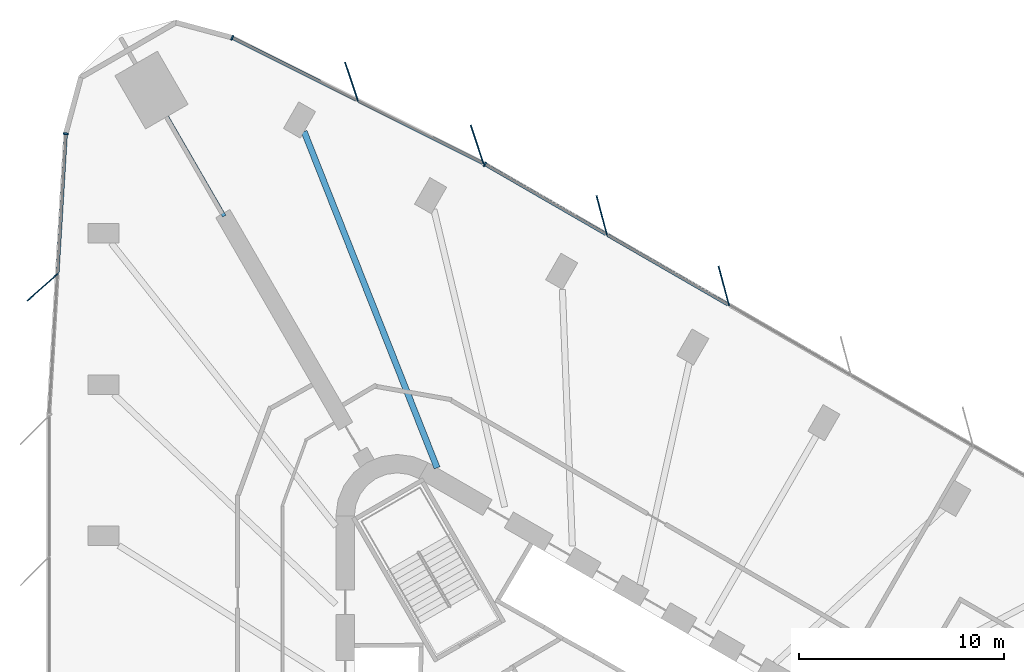
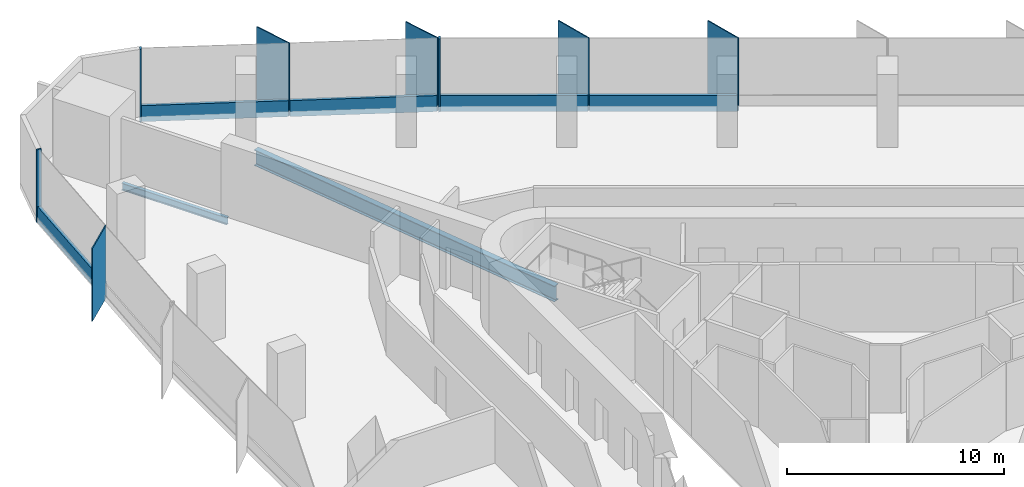
# One storey, part 7 of 14: 13 members, 2 beams, 3 elements without a shape of their own.
"""IFC4 building model written with IfcOpenShell, lengths in metres."""

from ifc_helpers import new_model, si_unit, direction, frame, origin, origin_2d, place, context, subcontext, project, spatial, rectangle, i_section, extrude, material, material_profile, profile_set, type_object, element, aggregate, save


model = new_model("IFC4")

# Units and contexts
model_context = context("Model", 3, precision=1e-05, world=origin(), true_north=direction((0.0, 1.0)))
body_context = subcontext(model_context, "Body", "Model", "MODEL_VIEW")
ifc_project = project(units=[si_unit("LENGTHUNIT", "METRE"), si_unit("AREAUNIT", "SQUARE_METRE"), si_unit("VOLUMEUNIT", "CUBIC_METRE"), si_unit("PLANEANGLEUNIT", "RADIAN"), si_unit("MASSUNIT", "GRAM", prefix="KILO")], contexts=[model_context])

# Site, building, storey
site_placement = place(None, origin())
site = spatial("IfcSite", under=ifc_project, at=site_placement, CompositionType="ELEMENT")
building_placement = place(site_placement, origin())
building = spatial("IfcBuilding", under=site, at=building_placement, Name="Tanit Gate Tower", CompositionType="ELEMENT")
storey_placement = place(building_placement, frame((0.0, 0.0, 45.5)))
storey = spatial("IfcBuildingStorey", under=building, at=storey_placement, Name="L07", CompositionType="ELEMENT", Elevation=45.5)

# Curtain wall, members
ifc_material_1 = material(Name="Aluminium bronze anodised and glass", Category="aluminium")
curtain_wall_type = type_object("IfcCurtainWallType", Name="Curtain wall typical low", PredefinedType="NOTDEFINED", material=ifc_material_1)
curtain_wall_1_placement = place(storey_placement, origin())
curtain_wall_1 = element("IfcCurtainWall", 1, at=curtain_wall_1_placement, inside=storey, type_object=curtain_wall_type, Name="Curtain wall L07 NE2", PredefinedType="NOTDEFINED")
ifc_material_2 = material(Name="Aluminium bronze anodised", Category="aluminium")
ifc_material_profile_1 = material_profile(ifc_material_2, rectangle(XDim=2.0, YDim=0.055908203125, at=origin_2d()), Name="56x2000 bronze fin mullion")
ifc_profile_set_1 = profile_set([ifc_material_profile_1], Name="Aluminium bronze anodised")
member_type_1 = type_object("IfcMemberType", Name="FIN MULLION 56x2000 bronze", PredefinedType="MULLION", material=ifc_profile_set_1)
member_1_placement = place(storey_placement, frame((6.841064453125, 26.9951171875, -0.300048828125), z_axis=(0.0, 0.0, 1.0), x_axis=(0.258886020591, -0.965907877772, 0.0)))
member_1 = element("IfcMember", 2, at=member_1_placement, type_object=member_type_1, Name="Fin mullion L07 NE2.5", PredefinedType="MULLION", context=body_context, shape_type="SweptSolid", body=[
    extrude(rectangle(XDim=2.0, YDim=0.055908203125, at=origin_2d()), origin(), (0.0, 0.0, 1.0), 4.10009765625),
])
member_2_placement = place(storey_placement, frame((0.881103515625, 30.435546875, -0.300048828125), z_axis=(0.0, 0.0, 1.0), x_axis=(0.258886020591, -0.965907877772, 0.0)))
member_2 = element("IfcMember", 3, at=member_2_placement, type_object=member_type_1, Name="Fin mullion L07 NE2.6", PredefinedType="MULLION", context=body_context, shape_type="SweptSolid", body=[
    extrude(rectangle(XDim=2.0, YDim=0.055908203125, at=origin_2d()), origin(), (0.0, 0.0, 1.0), 4.10009765625),
])

curtain_wall_2_placement = place(storey_placement, origin())
curtain_wall_2 = element("IfcCurtainWall", 4, at=curtain_wall_2_placement, inside=storey, type_object=curtain_wall_type, Name="Curtain wall L07 NE3", PredefinedType="NOTDEFINED")
member_3_placement = place(storey_placement, frame((-5.205078125, 33.897216796875, -0.300048828125), z_axis=(0.0, 0.0, 1.0), x_axis=(0.315932535729, -0.94878165711, 0.0)))
member_3 = element("IfcMember", 5, at=member_3_placement, type_object=member_type_1, Name="Fin mullion L07 NE3.1", PredefinedType="MULLION", context=body_context, shape_type="SweptSolid", body=[
    extrude(rectangle(XDim=2.0, YDim=0.055908203125, at=origin_2d()), origin(), (0.0, 0.0, 1.0), 4.10009765625),
])
member_4_placement = place(storey_placement, frame((-11.340576171875, 36.96728515625, -0.300048828125), z_axis=(0.0, 0.0, 1.0), x_axis=(0.315932535729, -0.94878165711, 0.0)))
member_4 = element("IfcMember", 6, at=member_4_placement, type_object=member_type_1, Name="Fin mullion L07 NE3.2", PredefinedType="MULLION", context=body_context, shape_type="SweptSolid", body=[
    extrude(rectangle(XDim=2.0, YDim=0.055908203125, at=origin_2d()), origin(), (0.0, 0.0, 1.0), 4.10009765625),
])

# Curtain wall, member
curtain_wall_3_placement = place(storey_placement, origin())
curtain_wall_3 = element("IfcCurtainWall", 7, at=curtain_wall_3_placement, inside=storey, type_object=curtain_wall_type, Name="Curtain wall L07 W1", PredefinedType="NOTDEFINED")
member_5_placement = place(storey_placement, frame((-26.42822265625, 26.925048828125, -0.300048828125), z_axis=(0.0, 0.0, 1.0), x_axis=(0.748133983092, 0.663547694852, 0.0)))
member_5 = element("IfcMember", 8, at=member_5_placement, type_object=member_type_1, Name="Fin mullion L07 W1.2", PredefinedType="MULLION", context=body_context, shape_type="SweptSolid", body=[
    extrude(rectangle(XDim=2.0, YDim=0.055908203125, at=origin_2d()), origin(), (0.0, 0.0, 1.0), 4.10009765625),
])

# Member
ifc_material_3 = material(Name="Aluminium bronze anodised", Category="aluminium")
ifc_material_profile_2 = material_profile(ifc_material_3, rectangle(XDim=0.239990234375, YDim=0.080078125, at=origin_2d()), Name="80x240 bronze mullion")
ifc_profile_set_2 = profile_set([ifc_material_profile_2], Name="Aluminium bronze anodised")
member_type_2 = type_object("IfcMemberType", Name="Mullion 80x240 typical low", PredefinedType="MULLION", material=ifc_profile_set_2)
member_6_placement = place(storey_placement, frame((-4.825927734375, 32.931884765625, -0.300048828125), z_axis=(0.0, 0.0, 1.0), x_axis=(-0.49993994966, -0.866060071089, 0.0)))
member_6 = element("IfcMember", 9, at=member_6_placement, type_object=member_type_2, Name="Mullion L07 NE2.7", PredefinedType="MULLION", context=body_context, shape_type="SweptSolid", body=[
    extrude(rectangle(XDim=0.239990234375, YDim=0.080078125, at=origin_2d()), origin(), (0.0, 0.0, 1.0), 4.10009765625),
])

member_7_placement = place(storey_placement, frame((-17.167236328125, 39.110107421875, -0.300048828125), z_axis=(0.0, 0.0, 1.0), x_axis=(-0.447491905196, -0.894287982019, 0.0)))
member_7 = element("IfcMember", 10, at=member_7_placement, type_object=member_type_2, Name="Mullion L07 NE3.3", PredefinedType="MULLION", context=body_context, shape_type="SweptSolid", body=[
    extrude(rectangle(XDim=0.239990234375, YDim=0.080078125, at=origin_2d()), origin(), (0.0, 0.0, 1.0), 4.10009765625),
])

member_8_placement = place(storey_placement, frame((-25.286865234375, 34.422119140625, -0.300048828125), z_axis=(0.0, 0.0, 1.0), x_axis=(0.998209687351, -0.059811538009, 0.0)))
member_8 = element("IfcMember", 11, at=member_8_placement, type_object=member_type_2, Name="Mullion L07 W1.1", PredefinedType="MULLION", context=body_context, shape_type="SweptSolid", body=[
    extrude(rectangle(XDim=0.239990234375, YDim=0.080078125, at=origin_2d()), origin(), (0.0, 0.0, 1.0), 4.10009765625),
])

# Beams
ifc_material_4 = material(Name="Steel S355", Category="steel")
ifc_material_profile_3 = material_profile(ifc_material_4, i_section(OverallWidth=0.300048828125, OverallDepth=0.889892578125, WebThickness=0.01611328125, FlangeThickness=0.030029296875, FilletRadius=0.030029296875, at=origin_2d()), Name="HEA 900")
ifc_profile_set_3 = profile_set([ifc_material_profile_3], Name="Steel S355")
beam_type_1 = type_object("IfcBeamType", Name="RADIAL GIRDER HEA 900 S355", PredefinedType="BEAM", material=ifc_profile_set_3)
beam_1_placement = place(storey_placement, frame((-13.655029296875, 34.5302734375, -0.7451171875), z_axis=(0.36773841244, -0.929929276889, 0.0), x_axis=(0.929929276889, 0.36773841244, 0.0)))
element("IfcBeam", 12, at=beam_1_placement, inside=storey, type_object=beam_type_1, Name="RADIAL GIRDER", PredefinedType="BEAM", context=body_context, shape_type="SweptSolid", body=[
    extrude(i_section(OverallWidth=0.300048828125, OverallDepth=0.889892578125, WebThickness=0.01611328125, FlangeThickness=0.030029296875, FilletRadius=0.030029296875, at=origin_2d()), origin(), (0.0, 0.0, 1.0), 17.658935546875),
])
ifc_material_5 = material(Name="Steel S355", Category="steel")
ifc_material_profile_4 = material_profile(ifc_material_5, i_section(OverallWidth=0.179931640625, OverallDepth=0.39990234375, WebThickness=0.008544921875, FlangeThickness=0.013427734375, FilletRadius=0.02099609375, at=origin_2d()), Name="IPE 400")
ifc_profile_set_4 = profile_set([ifc_material_profile_4], Name="Steel S355")
beam_type_2 = type_object("IfcBeamType", Name="RADIAL GIRDER IPE 400 S355", PredefinedType="BEAM", material=ifc_profile_set_4)
beam_2_placement = place(storey_placement, frame((-20.355712890625, 35.257080078125, -0.5), z_axis=(0.500016430238, -0.866015917575, 0.0), x_axis=(0.866015917575, 0.500016430238, 0.0)))
element("IfcBeam", 13, at=beam_2_placement, inside=storey, type_object=beam_type_2, Name="RADIAL GIRDER", PredefinedType="BEAM", context=body_context, shape_type="SweptSolid", body=[
    extrude(i_section(OverallWidth=0.179931640625, OverallDepth=0.39990234375, WebThickness=0.008544921875, FlangeThickness=0.013427734375, FilletRadius=0.02099609375, at=origin_2d()), origin(), (0.0, 0.0, 1.0), 5.607177734375),
])

# Member
ifc_material_6 = material(Name="Aluminium bronze anodised", Category="aluminium")
ifc_material_profile_5 = material_profile(ifc_material_6, rectangle(XDim=0.159912109375, YDim=0.89990234375, at=origin_2d()), Name="160x900 bronze transom")
ifc_profile_set_5 = profile_set([ifc_material_profile_5], Name="Aluminium bronze anodised")
member_type_3 = type_object("IfcMemberType", Name="Transom 160x900 typical low", PredefinedType="USERDEFINED", material=ifc_profile_set_5)
member_9_placement = place(storey_placement, frame((7.0595703125, 26.071044921875, 0.14990234375), z_axis=(-0.866070234236, 0.49992234334, 0.0), x_axis=(-0.49992234334, -0.866070234236, 0.0)))
member_9 = element("IfcMember", 14, at=member_9_placement, type_object=member_type_3, Name="Transom L07 NE2.5", ObjectType="TRANSOM", PredefinedType="USERDEFINED", context=body_context, shape_type="SweptSolid", body=[
    extrude(rectangle(XDim=0.159912109375, YDim=0.89990234375, at=origin_2d()), origin(), (0.0, 0.0, 1.0), 6.8017578125),
])

member_10_placement = place(storey_placement, frame((1.099609375, 29.511474609375, 0.14990234375), z_axis=(-0.866070234236, 0.49992234334, 0.0), x_axis=(-0.49992234334, -0.866070234236, 0.0)))
member_10 = element("IfcMember", 15, at=member_10_placement, type_object=member_type_3, Name="Transom L07 NE2.6", ObjectType="TRANSOM", PredefinedType="USERDEFINED", context=body_context, shape_type="SweptSolid", body=[
    extrude(rectangle(XDim=0.159912109375, YDim=0.89990234375, at=origin_2d()), origin(), (0.0, 0.0, 1.0), 6.8017578125),
])

aggregate(curtain_wall_1, [member_1, member_2, member_6, member_9, member_10])

member_11_placement = place(storey_placement, frame((-4.93212890625, 32.98779296875, 0.14990234375), z_axis=(-0.894290324915, 0.447487223016, 0.0), x_axis=(-0.447487223016, -0.894290324915, 0.0)))
member_11 = element("IfcMember", 16, at=member_11_placement, type_object=member_type_3, Name="Transom L07 NE3.1", ObjectType="TRANSOM", PredefinedType="USERDEFINED", context=body_context, shape_type="SweptSolid", body=[
    extrude(rectangle(XDim=0.159912109375, YDim=0.89990234375, at=origin_2d()), origin(), (0.0, 0.0, 1.0), 6.780517578125),
])

member_12_placement = place(storey_placement, frame((-11.0673828125, 36.057861328125, 0.14990234375), z_axis=(-0.894297534657, 0.447472814265, 0.0), x_axis=(-0.447472814265, -0.894297534657, 0.0)))
member_12 = element("IfcMember", 17, at=member_12_placement, type_object=member_type_3, Name="Transom L07 NE3.2", ObjectType="TRANSOM", PredefinedType="USERDEFINED", context=body_context, shape_type="SweptSolid", body=[
    extrude(rectangle(XDim=0.159912109375, YDim=0.89990234375, at=origin_2d()), origin(), (0.0, 0.0, 1.0), 6.78076171875),
])

aggregate(curtain_wall_2, [member_3, member_4, member_7, member_11, member_12])

member_13_placement = place(storey_placement, frame((-25.2890625, 34.38232421875, 0.14990234375), z_axis=(-0.059838478518, -0.998208072743, 0.0), x_axis=(0.998208072743, -0.059838478518, 0.0)))
member_13 = element("IfcMember", 18, at=member_13_placement, type_object=member_type_3, Name="Transom L07 W1.1", ObjectType="TRANSOM", PredefinedType="USERDEFINED", context=body_context, shape_type="SweptSolid", body=[
    extrude(rectangle(XDim=0.159912109375, YDim=0.89990234375, at=origin_2d()), origin(), (0.0, 0.0, 1.0), 6.781005859375),
])

aggregate(curtain_wall_3, [member_8, member_5, member_13])

save(model, "model.ifc")
